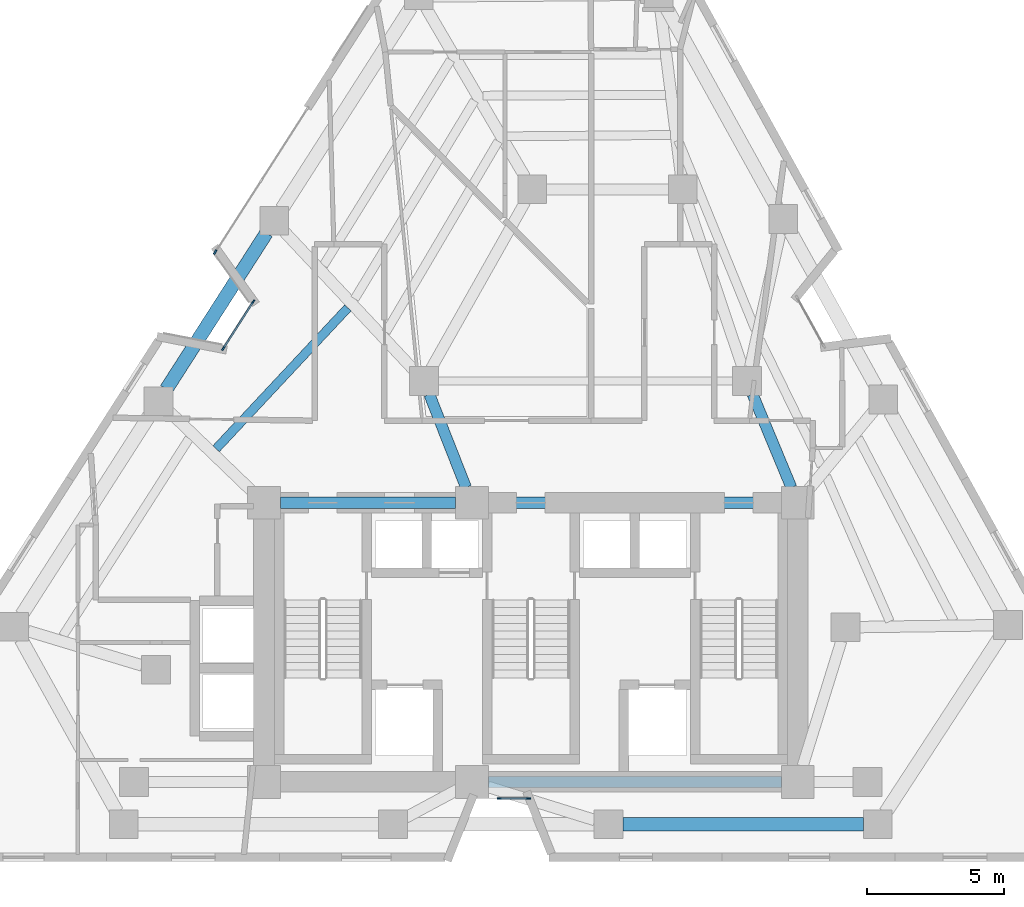
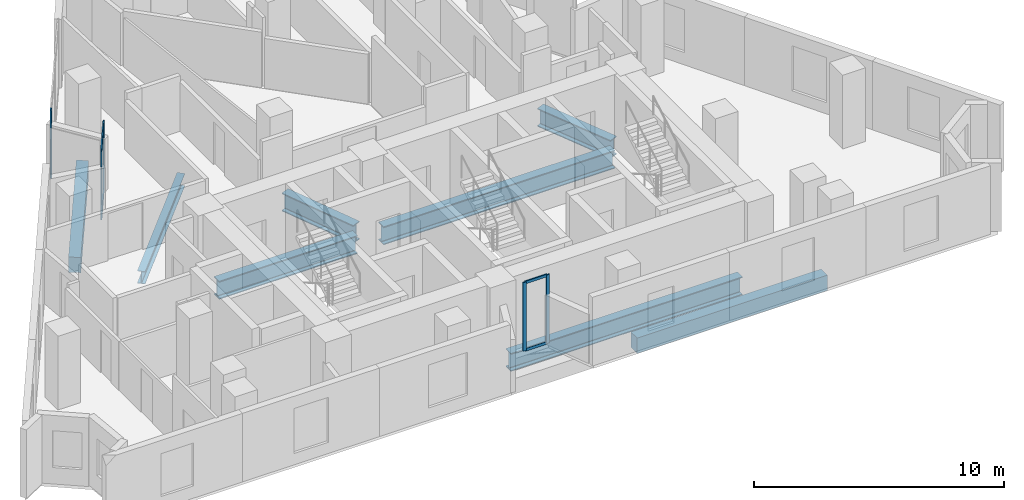
# One storey, part 2 of 10: 9 members, 8 beams, 3 elements without a shape of their own.
"""IFC4 building model written with IfcOpenShell, lengths in metres."""

import ifcopenshell
import ifcopenshell.guid

model = None  # the IFC model being written
_history = None  # IfcOwnerHistory: only IFC2X3 demands one
_inside = {}  # id of a spatial element -> (the spatial element, [elements in it])
_under = {}  # id of a project, library or spatial element -> (it, [spatial elements below it])
_declared = {}  # id of a project -> (the project, [libraries it declares])
_typed = {}  # id of a type object -> (the type object, [elements of that type])
_made_of = {}  # id of a material, layer set ... -> (it, [elements and type objects made of it])


def new_model(schema):
    """Start an empty IFC model of exactly this schema.

    Asked for "IFC4X3", IfcOpenShell would pick the latest addendum, in which some entities
    have other attributes; the version numbers below select the first issue.
    IFC2X3 requires an IfcOwnerHistory on every rooted entity: one is made here for all.
    """
    global model, _history
    if schema == "IFC4X3":
        model = ifcopenshell.file(schema_version=(4, 3, 0, 0))
    else:
        model = ifcopenshell.file(schema=schema)
    _inside.clear()
    _under.clear()
    _declared.clear()
    _typed.clear()
    _made_of.clear()
    _history = None
    if model.schema == "IFC2X3":
        org = make("IfcOrganization", Name="unknown")
        user = make(
            "IfcPersonAndOrganization",
            ThePerson=make("IfcPerson", FamilyName="unknown"),
            TheOrganization=org,
        )
        app = make(
            "IfcApplication",
            ApplicationDeveloper=org,
            Version="unknown",
            ApplicationFullName="unknown",
            ApplicationIdentifier="unknown",
        )
        _history = make(
            "IfcOwnerHistory",
            OwningUser=user,
            OwningApplication=app,
            ChangeAction="ADDED",
            CreationDate=0,
        )
    return model


def make(cls, **values):
    """One entity of the class cls with the attributes given. An attribute that is None is left unset."""
    return model.create_entity(
        cls, **{name: value for name, value in values.items() if value is not None}
    )


def rooted(cls, **values):
    """An entity with a GlobalId (a new one), such as an element, a storey or a relation."""
    return make(cls, GlobalId=ifcopenshell.guid.new(), OwnerHistory=_history, **values)


def si_unit(unit_type, name, prefix=None):
    """IfcSIUnit, for example si_unit("LENGTHUNIT", "METRE", prefix="MILLI")."""
    return make("IfcSIUnit", UnitType=unit_type, Prefix=prefix, Name=name)


def assignment(units):
    """IfcUnitAssignment: the units of a project."""
    return None if units is None else make("IfcUnitAssignment", Units=units)


def point(xyz):
    """IfcCartesianPoint."""
    return None if xyz is None else make("IfcCartesianPoint", Coordinates=xyz)


def direction(xyz):
    """IfcDirection."""
    return None if xyz is None else make("IfcDirection", DirectionRatios=xyz)


def frame(location, z_axis=None, x_axis=None):
    """IfcAxis2Placement3D, a coordinate frame: its origin and axes. An axis left out is left unset."""
    return make(
        "IfcAxis2Placement3D",
        Location=point(location),
        Axis=direction(z_axis),
        RefDirection=direction(x_axis),
    )


def frame_2d(location, x_axis=None):
    """IfcAxis2Placement2D, a coordinate frame in the plane: its origin and x axis."""
    return make(
        "IfcAxis2Placement2D", Location=point(location), RefDirection=direction(x_axis)
    )


def origin():
    """The frame at (0, 0, 0) with its axes left unset."""
    return frame((0.0, 0.0, 0.0))


def origin_2d():
    """The frame at (0, 0) in the plane with its x axis left unset."""
    return frame_2d((0.0, 0.0))


def place(relative_to, where):
    """IfcLocalPlacement: puts the frame where relative to a parent placement (None: the world)."""
    return make(
        "IfcLocalPlacement", PlacementRelTo=relative_to, RelativePlacement=where
    )


def context(
    kind, dimensions, precision=None, world=None, true_north=None, identifier=None
):
    """IfcGeometricRepresentationContext, for example the 3D "Model" context."""
    return make(
        "IfcGeometricRepresentationContext",
        ContextIdentifier=identifier,
        ContextType=kind,
        CoordinateSpaceDimension=dimensions,
        Precision=precision,
        WorldCoordinateSystem=world,
        TrueNorth=true_north,
    )


def subcontext(parent, identifier, kind, view, scale=None):
    """IfcGeometricRepresentationSubContext, for example "Body" below "Model"."""
    return make(
        "IfcGeometricRepresentationSubContext",
        ContextIdentifier=identifier,
        ContextType=kind,
        ParentContext=parent,
        TargetScale=scale,
        TargetView=view,
    )


def project(units=None, contexts=None):
    """IfcProject with its units and contexts."""
    return rooted(
        "IfcProject",
        Name="project",
        RepresentationContexts=contexts,
        UnitsInContext=assignment(units),
    )


def spatial(cls, under=None, at=None, **own):
    """A site, building, storey or space (cls), placed at a placement, below another one or the project."""
    s = rooted(cls, ObjectPlacement=at, **own)
    if under is not None:
        _under.setdefault(under.id(), (under, []))[1].append(s)
    return s


def profile(cls, at=None, kind="AREA", **sizes):
    """A parametric profile (cls). Its sizes go by their IFC names, for example OverallWidth=200.0."""
    return make(cls, ProfileType=kind, Position=at, **sizes)


def rectangle(**sizes):
    """IfcRectangleProfileDef."""
    return profile("IfcRectangleProfileDef", **sizes)


def i_section(**sizes):
    """IfcIShapeProfileDef."""
    return profile("IfcIShapeProfileDef", **sizes)


def extrude(swept, where, along, depth):
    """IfcExtrudedAreaSolid: the profile swept, set in the frame where, extruded along a direction by depth."""
    return make(
        "IfcExtrudedAreaSolid",
        SweptArea=swept,
        Position=where,
        ExtrudedDirection=direction(along),
        Depth=depth,
    )


def shape(context_of_items, identifier, shape_type, items):
    """IfcShapeRepresentation: the items that make up one representation, for example the "Body"."""
    return make(
        "IfcShapeRepresentation",
        ContextOfItems=context_of_items,
        RepresentationIdentifier=identifier,
        RepresentationType=shape_type,
        Items=items,
    )


def material(Name=None, Category=None):
    """IfcMaterial."""
    return make("IfcMaterial", Name=Name, Category=Category)


def layer(
    of_material, thickness, ventilated=None, Name=None, Category=None, Priority=None
):
    """IfcMaterialLayer: one layer of a wall or slab, of a material (None: an air gap)."""
    return make(
        "IfcMaterialLayer",
        Material=of_material,
        LayerThickness=thickness,
        IsVentilated=ventilated,
        Name=Name,
        Category=Category,
        Priority=Priority,
    )


def layer_set(layers, Name=None):
    """IfcMaterialLayerSet."""
    return make("IfcMaterialLayerSet", MaterialLayers=layers, LayerSetName=Name)


def material_profile(
    of_material, cross_section, Name=None, Category=None, Priority=None
):
    """IfcMaterialProfile: a cross section and its material."""
    return make(
        "IfcMaterialProfile",
        Name=Name,
        Material=of_material,
        Profile=cross_section,
        Priority=Priority,
        Category=Category,
    )


def profile_set(profiles, Name=None, composite=None):
    """IfcMaterialProfileSet."""
    return make(
        "IfcMaterialProfileSet",
        Name=Name,
        MaterialProfiles=profiles,
        CompositeProfile=composite,
    )


def made_of(thing, what):
    """Note that an element or type object is made of a material, layer set ...; save() writes the relation."""
    if what is not None:
        _made_of.setdefault(what.id(), (what, []))[1].append(thing)
    return thing


def type_object(cls, material=None, **own):
    """A type object (cls), such as IfcWallType, which elements share."""
    return made_of(rooted(cls, **own), material)


def element(
    cls,
    number,
    at=None,
    inside=None,
    cuts=None,
    type_object=None,
    material=None,
    context=None,
    identifier="Body",
    shape_type=None,
    held_by="IfcProductDefinitionShape",
    body=None,
    shapes=None,
    **own,
):
    """One element of the class cls, such as IfcWall. Its Tag is "e" and its number.

    at: its placement. inside: the storey or other place that contains it. cuts: it is an
    opening in that element (IfcRelVoidsElement). A single representation is given by context,
    identifier, shape_type and body (its items); several are given by shapes. held_by: the class
    of the entity that holds the representations. save() writes the other relations.
    """
    e = rooted(cls, Tag="e%d" % number, ObjectPlacement=at, **own)
    if body is not None:
        shapes = [shape(context, identifier, shape_type, body)]
    if shapes is not None:
        e.Representation = make(held_by, Representations=shapes)
    if inside is not None:
        _inside.setdefault(inside.id(), (inside, []))[1].append(e)
    if cuts is not None:
        rooted(
            "IfcRelVoidsElement", RelatingBuildingElement=cuts, RelatedOpeningElement=e
        )
    if type_object is not None:
        _typed.setdefault(type_object.id(), (type_object, []))[1].append(e)
    return made_of(e, material)


def aggregate(whole, parts):
    """IfcRelAggregates: a whole, such as a stair, and the parts it consists of."""
    return rooted("IfcRelAggregates", RelatingObject=whole, RelatedObjects=parts)


def save(model, path):
    """Write the relations noted so far, then the file.

    IfcRelAggregates (storeys below a building ...), IfcRelContainedInSpatialStructure (elements
    in a storey), IfcRelDefinesByType, IfcRelAssociatesMaterial and IfcRelDeclares: one each for
    every whole, place, type object, material and project.
    """
    for whole, parts in _under.values():
        aggregate(whole, parts)
    for where, things in _inside.values():
        rooted(
            "IfcRelContainedInSpatialStructure",
            RelatedElements=things,
            RelatingStructure=where,
        )
    for kind, things in _typed.values():
        rooted("IfcRelDefinesByType", RelatedObjects=things, RelatingType=kind)
    for what, things in _made_of.values():
        rooted("IfcRelAssociatesMaterial", RelatedObjects=things, RelatingMaterial=what)
    for by, libraries in _declared.values():
        rooted("IfcRelDeclares", RelatingContext=by, RelatedDefinitions=libraries)
    model.write(path)


model = new_model("IFC4")

# Units and contexts
model_context = context("Model", 3, precision=1e-05, world=origin(), true_north=direction((0.0, 1.0)))
body_context = subcontext(model_context, "Body", "Model", "MODEL_VIEW")
ifc_project = project(units=[si_unit("LENGTHUNIT", "METRE"), si_unit("AREAUNIT", "SQUARE_METRE"), si_unit("VOLUMEUNIT", "CUBIC_METRE"), si_unit("PLANEANGLEUNIT", "RADIAN"), si_unit("MASSUNIT", "GRAM", prefix="KILO")], contexts=[model_context])

# Site, building, storey
site_placement = place(None, origin())
site = spatial("IfcSite", under=ifc_project, at=site_placement, CompositionType="ELEMENT")
building_placement = place(site_placement, origin())
building = spatial("IfcBuilding", under=site, at=building_placement, Name="Almagre Mirador Tower", CompositionType="ELEMENT")
storey_placement = place(building_placement, frame((0.0, 0.0, 164.39990234375)))
storey = spatial("IfcBuildingStorey", under=building, at=storey_placement, Name="L42", CompositionType="ELEMENT", Elevation=164.39990234375)

# Beams
ifc_material_1 = material(Name="Steel ASTM A992 Grade 50", Category="steel")
ifc_material_profile_1 = material_profile(ifc_material_1, i_section(OverallWidth=0.323974609375, OverallDepth=0.611083984375, WebThickness=0.0126953125, FlangeThickness=0.01904296875, FilletRadius=0.02001953125, at=origin_2d()), Name="W24X104")
ifc_profile_set_1 = profile_set([ifc_material_profile_1], Name="Steel ASTM A992 Grade 50")
beam_type_1 = type_object("IfcBeamType", Name="BM-JST-W24X104", PredefinedType="JOIST", material=ifc_profile_set_1)
beam_1_placement = place(storey_placement, frame((30.613525390625, 21.8701171875, -0.555419921875), z_axis=(-0.683046255711, -0.730375117703, 0.0), x_axis=(0.730375117703, -0.683046255711, 0.0)))
element("IfcBeam", 1, at=beam_1_placement, inside=storey, type_object=beam_type_1, Name="L42 secondary floor joist PC10-PC11.2", PredefinedType="JOIST", context=body_context, shape_type="SweptSolid", body=[
    extrude(i_section(OverallWidth=0.323974609375, OverallDepth=0.611083984375, WebThickness=0.0126953125, FlangeThickness=0.01904296875, FilletRadius=0.02001953125, at=origin_2d()), origin(), (0.0, 0.0, 1.0), 7.04638671875),
])
ifc_material_2 = material(Name="Precast concrete C50/60", Category="concrete")
ifc_material_profile_2 = material_profile(ifc_material_2, rectangle(XDim=0.5, YDim=0.75, at=origin_2d()), Name="RC500X750")
ifc_profile_set_2 = profile_set([ifc_material_profile_2], Name="Precast concrete C50/60")
beam_type_2 = type_object("IfcBeamType", Name="BM-SPN-RC500X750", PredefinedType="SPANDREL", material=ifc_profile_set_2)
beam_2_placement = place(storey_placement, frame((40.660888671875, 3.0, -0.625), z_axis=(1.0, 0.0, 0.0), x_axis=(0.0, 1.0, 0.0)))
element("IfcBeam", 2, at=beam_2_placement, inside=storey, type_object=beam_type_2, Name="L42 perimeter spandrel beam PC03-PC04", PredefinedType="SPANDREL", context=body_context, shape_type="SweptSolid", body=[
    extrude(rectangle(XDim=0.5, YDim=0.75, at=origin_2d()), origin(), (0.0, 0.0, 1.0), 8.7900390625),
])
beam_3_placement = place(storey_placement, frame((27.638916015625, 24.60693359375, -0.625), z_axis=(-0.539533906924, -0.841963872906, 0.0), x_axis=(0.841963872906, -0.539533906924, 0.0)))
element("IfcBeam", 3, at=beam_3_placement, inside=storey, type_object=beam_type_2, Name="L42 perimeter spandrel beam PC10-PC11", PredefinedType="SPANDREL", context=body_context, shape_type="SweptSolid", body=[
    extrude(rectangle(XDim=0.5, YDim=0.75, at=origin_2d()), origin(), (0.0, 0.0, 1.0), 6.779296875),
])
ifc_material_3 = material(Name="Steel ASTM A992 Grade 50", Category="steel")
ifc_material_profile_3 = material_profile(ifc_material_3, i_section(OverallWidth=0.404052734375, OverallDepth=0.884033203125, WebThickness=0.0244140625, FlangeThickness=0.0439453125, FilletRadius=0.02490234375, at=origin_2d()), Name="W33X291")
ifc_profile_set_3 = profile_set([ifc_material_profile_3], Name="Steel ASTM A992 Grade 50")
beam_type_3 = type_object("IfcBeamType", Name="BM-STL-W33X291", PredefinedType="BEAM", material=ifc_profile_set_3)
beam_4_placement = place(storey_placement, frame((35.75, 4.550048828125, -0.69189453125), z_axis=(1.0, 0.0, 0.0), x_axis=(0.0, 1.0, 0.0)))
element("IfcBeam", 4, at=beam_4_placement, inside=storey, type_object=beam_type_3, Name="L42 core tie girder CC2-CC3", PredefinedType="BEAM", context=body_context, shape_type="SweptSolid", body=[
    extrude(i_section(OverallWidth=0.404052734375, OverallDepth=0.884033203125, WebThickness=0.0244140625, FlangeThickness=0.0439453125, FilletRadius=0.02490234375, at=origin_2d()), origin(), (0.0, 0.0, 1.0), 10.699951171875),
])
beam_5_placement = place(storey_placement, frame((28.14990234375, 14.75, -0.69189453125), z_axis=(1.0, 0.0, 0.0), x_axis=(0.0, 1.0, 0.0)))
element("IfcBeam", 5, at=beam_5_placement, inside=storey, type_object=beam_type_3, Name="L42 core tie girder CC4-CC5", PredefinedType="BEAM", context=body_context, shape_type="SweptSolid", body=[
    extrude(i_section(OverallWidth=0.404052734375, OverallDepth=0.884033203125, WebThickness=0.0244140625, FlangeThickness=0.0439453125, FilletRadius=0.02490234375, at=origin_2d()), origin(), (0.0, 0.0, 1.0), 6.400146484375),
])
beam_6_placement = place(storey_placement, frame((35.75, 14.75, -0.69189453125), z_axis=(1.0, 0.0, 0.0), x_axis=(0.0, 1.0, 0.0)))
element("IfcBeam", 6, at=beam_6_placement, inside=storey, type_object=beam_type_3, Name="L42 core tie girder CC5-CC6", PredefinedType="BEAM", context=body_context, shape_type="SweptSolid", body=[
    extrude(i_section(OverallWidth=0.404052734375, OverallDepth=0.884033203125, WebThickness=0.0244140625, FlangeThickness=0.0439453125, FilletRadius=0.02490234375, at=origin_2d()), origin(), (0.0, 0.0, 1.0), 10.699951171875),
])
beam_7_placement = place(storey_placement, frame((45.401611328125, 18.715087890625, -0.69189453125), z_axis=(0.383845645019, -0.923397271384, 0.0), x_axis=(0.923397271384, 0.383845645019, 0.0)))
element("IfcBeam", 7, at=beam_7_placement, inside=storey, type_object=beam_type_3, Name="L42 core tie girder MC5-CC6", PredefinedType="BEAM", context=body_context, shape_type="SweptSolid", body=[
    extrude(i_section(OverallWidth=0.404052734375, OverallDepth=0.884033203125, WebThickness=0.0244140625, FlangeThickness=0.0439453125, FilletRadius=0.02490234375, at=origin_2d()), origin(), (0.0, 0.0, 1.0), 3.694091796875),
])
beam_8_placement = place(storey_placement, frame((33.592041015625, 18.71142578125, -0.69189453125), z_axis=(0.365997304164, -0.930615910752, 0.0), x_axis=(0.930615910752, 0.365997304164, 0.0)))
element("IfcBeam", 8, at=beam_8_placement, inside=storey, type_object=beam_type_3, Name="L42 core tie girder MC8-CC5", PredefinedType="BEAM", context=body_context, shape_type="SweptSolid", body=[
    extrude(i_section(OverallWidth=0.404052734375, OverallDepth=0.884033203125, WebThickness=0.0244140625, FlangeThickness=0.0439453125, FilletRadius=0.02490234375, at=origin_2d()), origin(), (0.0, 0.0, 1.0), 3.65673828125),
])

# Curtain wall, members
ifc_material_4 = material(Name="Black anodized aluminium", Category="aluminium")
ifc_layer_1 = layer(ifc_material_4, 0.169921875)
ifc_layer_set_1 = layer_set([ifc_layer_1], Name="Black anodized aluminium")
curtain_wall_type_1 = type_object("IfcCurtainWallType", Name="CW-CRS-SYS", PredefinedType="NOTDEFINED", material=ifc_layer_set_1)
curtain_wall_1_placement = place(storey_placement, origin())
curtain_wall_1 = element("IfcCurtainWall", 9, at=curtain_wall_1_placement, inside=storey, type_object=curtain_wall_type_1, Name="L42 vertical crease curtain wall 01", PredefinedType="NOTDEFINED")
ifc_material_5 = material(Name="Black anodized aluminium", Category="aluminium")
ifc_material_profile_4 = material_profile(ifc_material_5, rectangle(XDim=0.06005859375, YDim=0.14990234375, at=origin_2d()), Name="CWM60X150")
ifc_profile_set_4 = profile_set([ifc_material_profile_4], Name="Black anodized aluminium")
member_type_1 = type_object("IfcMemberType", Name="MBR-CWM60X150", PredefinedType="MULLION", material=ifc_profile_set_4)
member_1_placement = place(storey_placement, frame((26.062255859375, 20.38525390625, 0.0), z_axis=(0.0, 0.0, 1.0), x_axis=(-0.841923718176, 0.539596564827, 0.0)))
member_1 = element("IfcMember", 10, at=member_1_placement, type_object=member_type_1, Name="CW-4 mullion 1", PredefinedType="MULLION", context=body_context, shape_type="SweptSolid", body=[
    extrude(rectangle(XDim=0.06005859375, YDim=0.14990234375, at=origin_2d()), origin(), (0.0, 0.0, 1.0), 3.35009765625),
])
member_2_placement = place(storey_placement, frame((27.15771484375, 22.0947265625, 0.0), z_axis=(0.0, 0.0, 1.0), x_axis=(-0.841923718176, 0.539596564827, 0.0)))
member_2 = element("IfcMember", 11, at=member_2_placement, type_object=member_type_1, Name="CW-4 mullion 2", PredefinedType="MULLION", context=body_context, shape_type="SweptSolid", body=[
    extrude(rectangle(XDim=0.06005859375, YDim=0.14990234375, at=origin_2d()), origin(), (0.0, 0.0, 1.0), 3.35009765625),
])

curtain_wall_2_placement = place(storey_placement, origin())
curtain_wall_2 = element("IfcCurtainWall", 12, at=curtain_wall_2_placement, inside=storey, type_object=curtain_wall_type_1, Name="L42 vertical crease curtain wall 04", PredefinedType="NOTDEFINED")
member_3_placement = place(storey_placement, frame((37.215087890625, 3.949951171875, 0.0), z_axis=(0.0, 0.0, 1.0), x_axis=(0.0, -1.0, 0.0)))
member_3 = element("IfcMember", 13, at=member_3_placement, type_object=member_type_1, Name="CW-4 mullion 1", PredefinedType="MULLION", context=body_context, shape_type="SweptSolid", body=[
    extrude(rectangle(XDim=0.06005859375, YDim=0.14990234375, at=origin_2d()), origin(), (0.0, 0.0, 1.0), 3.35009765625),
])
member_4_placement = place(storey_placement, frame((36.139892578125, 3.949951171875, 0.0), z_axis=(0.0, 0.0, 1.0), x_axis=(0.0, -1.0, 0.0)))
member_4 = element("IfcMember", 14, at=member_4_placement, type_object=member_type_1, Name="CW-4 mullion 2", PredefinedType="MULLION", context=body_context, shape_type="SweptSolid", body=[
    extrude(rectangle(XDim=0.06005859375, YDim=0.14990234375, at=origin_2d()), origin(), (0.0, 0.0, 1.0), 3.35009765625),
])

# Curtain wall, member
ifc_material_6 = material(Name="Black anodized aluminium", Category="aluminium")
ifc_layer_2 = layer(ifc_material_6, 0.199951171875)
ifc_layer_set_2 = layer_set([ifc_layer_2], Name="Black anodized aluminium")
curtain_wall_type_2 = type_object("IfcCurtainWallType", Name="CW-RES-H-SYS", PredefinedType="NOTDEFINED", material=ifc_layer_set_2)
curtain_wall_3_placement = place(storey_placement, origin())
curtain_wall_3 = element("IfcCurtainWall", 15, at=curtain_wall_3_placement, inside=storey, type_object=curtain_wall_type_2, Name="L42 curtain wall run 02", PredefinedType="NOTDEFINED")
ifc_material_7 = material(Name="Black anodized aluminium", Category="aluminium")
ifc_material_profile_5 = material_profile(ifc_material_7, rectangle(XDim=0.06494140625, YDim=0.179931640625, at=origin_2d()), Name="CWM65X180")
ifc_profile_set_5 = profile_set([ifc_material_profile_5], Name="Black anodized aluminium")
member_type_2 = type_object("IfcMemberType", Name="MBR-CWM65X180", PredefinedType="MULLION", material=ifc_profile_set_5)
member_5_placement = place(storey_placement, frame((25.76708984375, 23.909423828125, 0.0), z_axis=(0.0, 0.0, 1.0), x_axis=(-0.841971477042, 0.539522040187, 0.0)))
member_5 = element("IfcMember", 16, at=member_5_placement, type_object=member_type_2, Name="CW-3 mullion 1", PredefinedType="MULLION", context=body_context, shape_type="SweptSolid", body=[
    extrude(rectangle(XDim=0.06494140625, YDim=0.179931640625, at=origin_2d()), origin(), (0.0, 0.0, 1.0), 3.35009765625),
])
aggregate(curtain_wall_3, [member_5])

# Member
ifc_material_8 = material(Name="Black anodized aluminium", Category="aluminium")
ifc_material_profile_6 = material_profile(ifc_material_8, rectangle(XDim=0.06005859375, YDim=0.1298828125, at=origin_2d()), Name="CWT60X130")
ifc_profile_set_6 = profile_set([ifc_material_profile_6], Name="Black anodized aluminium")
member_type_3 = type_object("IfcMemberType", Name="MBR-CWT60X130", PredefinedType="USERDEFINED", material=ifc_profile_set_6)
member_6_placement = place(storey_placement, frame((26.078369140625, 20.410400390625, 0.030029296875), z_axis=(0.539542276309, 0.841958509712, 0.0), x_axis=(-0.841958509712, 0.539542276309, 0.0)))
member_6 = element("IfcMember", 17, at=member_6_placement, type_object=member_type_3, Name="CW-4 transom 1.1", ObjectType="TRANSOM", PredefinedType="USERDEFINED", context=body_context, shape_type="SweptSolid", body=[
    extrude(rectangle(XDim=0.06005859375, YDim=0.1298828125, at=origin_2d()), origin(), (0.0, 0.0, 1.0), 1.970703125),
])

member_7_placement = place(storey_placement, frame((26.078369140625, 20.410400390625, 3.320068359375), z_axis=(0.539542276309, 0.841958509712, 0.0), x_axis=(-0.841958509712, 0.539542276309, 0.0)))
member_7 = element("IfcMember", 18, at=member_7_placement, type_object=member_type_3, Name="CW-4 transom 1.2", ObjectType="TRANSOM", PredefinedType="USERDEFINED", context=body_context, shape_type="SweptSolid", body=[
    extrude(rectangle(XDim=0.06005859375, YDim=0.1298828125, at=origin_2d()), origin(), (0.0, 0.0, 1.0), 1.970703125),
])

aggregate(curtain_wall_1, [member_1, member_2, member_6, member_7])

member_8_placement = place(storey_placement, frame((37.18505859375, 3.949951171875, 0.030029296875), z_axis=(-1.0, 0.0, 0.0), x_axis=(0.0, -1.0, 0.0)))
member_8 = element("IfcMember", 19, at=member_8_placement, type_object=member_type_3, Name="CW-4 transom 1.1", ObjectType="TRANSOM", PredefinedType="USERDEFINED", context=body_context, shape_type="SweptSolid", body=[
    extrude(rectangle(XDim=0.06005859375, YDim=0.1298828125, at=origin_2d()), origin(), (0.0, 0.0, 1.0), 1.01513671875),
])

member_9_placement = place(storey_placement, frame((37.18505859375, 3.949951171875, 3.320068359375), z_axis=(-1.0, 0.0, 0.0), x_axis=(0.0, -1.0, 0.0)))
member_9 = element("IfcMember", 20, at=member_9_placement, type_object=member_type_3, Name="CW-4 transom 1.2", ObjectType="TRANSOM", PredefinedType="USERDEFINED", context=body_context, shape_type="SweptSolid", body=[
    extrude(rectangle(XDim=0.06005859375, YDim=0.1298828125, at=origin_2d()), origin(), (0.0, 0.0, 1.0), 1.01513671875),
])

aggregate(curtain_wall_2, [member_3, member_4, member_8, member_9])

save(model, "model.ifc")
